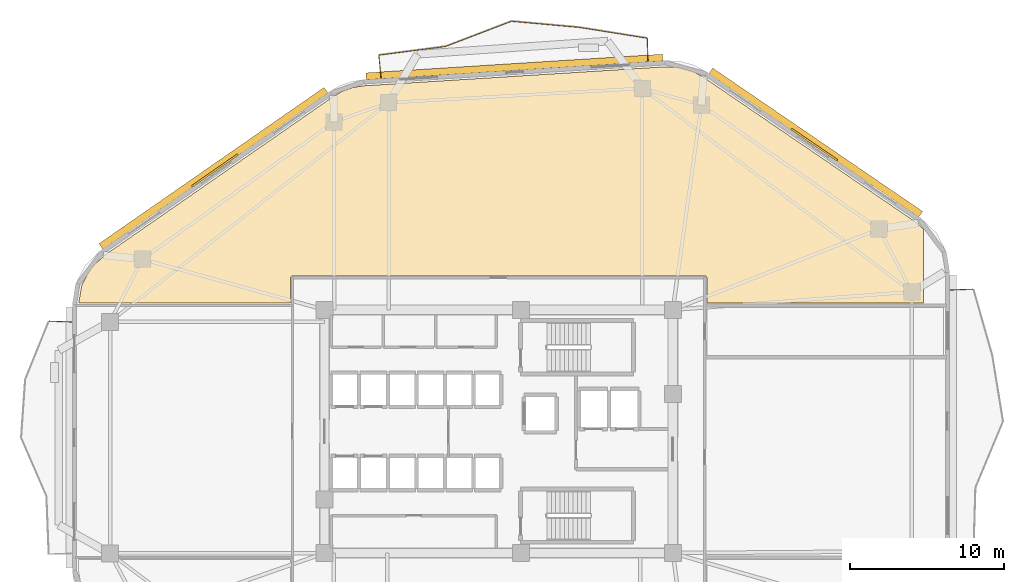
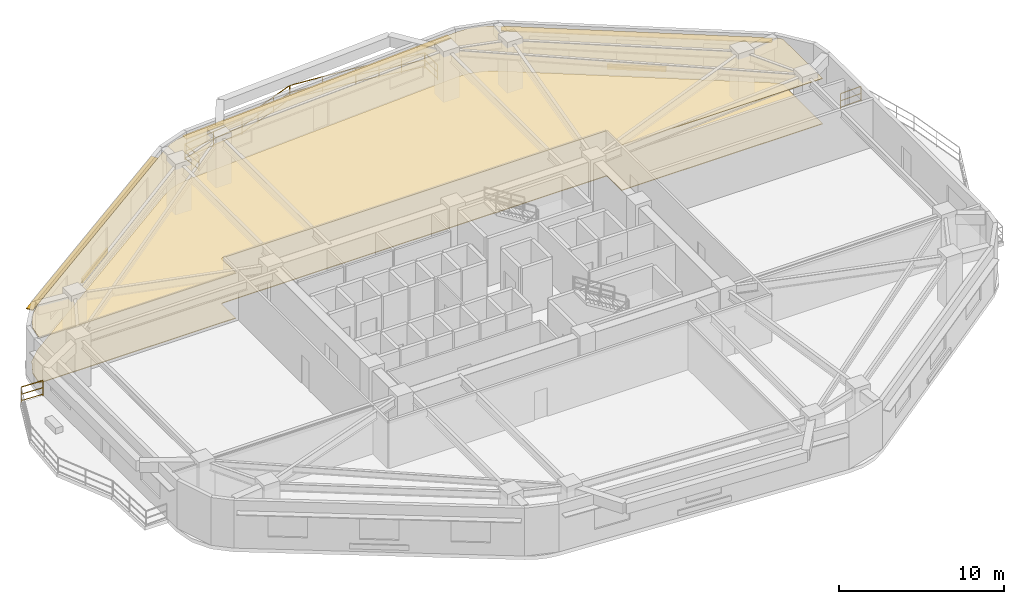
# One storey, part 9 of 9: 8 railings, 5 shading devices, 2 coverings.
"""IFC4 building model written with IfcOpenShell, lengths in metres."""

from ifc_helpers import new_model, si_unit, direction, frame, origin, origin_2d, place, context, subcontext, project, spatial, polyline, rectangle, outline, extrude, material, layer, layer_set, type_object, element, save


model = new_model("IFC4")

# Units and contexts
model_context = context("Model", 3, precision=1e-05, world=origin(), true_north=direction((0.0, 1.0)))
body_context = subcontext(model_context, "Body", "Model", "MODEL_VIEW")
ifc_project = project(units=[si_unit("LENGTHUNIT", "METRE"), si_unit("AREAUNIT", "SQUARE_METRE"), si_unit("VOLUMEUNIT", "CUBIC_METRE"), si_unit("PLANEANGLEUNIT", "RADIAN"), si_unit("MASSUNIT", "GRAM", prefix="KILO")], contexts=[model_context])

# Site, building, storey
site_placement = place(None, origin())
site = spatial("IfcSite", under=ifc_project, at=site_placement, CompositionType="ELEMENT")
building_placement = place(site_placement, origin())
building = spatial("IfcBuilding", under=site, at=building_placement, Name="Zulverin Broadcast Headquarters", CompositionType="ELEMENT")
storey_placement = place(building_placement, frame((0.0, 0.0, 104.800048828125)))
storey = spatial("IfcBuildingStorey", under=building, at=storey_placement, Name="L26", CompositionType="ELEMENT", Elevation=104.800048828125)

# Coverings
ifc_material_1 = material(Name="Perforated pale-metal acoustic baffle ceiling", Category="aluminium")
ifc_layer_1 = layer(ifc_material_1, 0.0400390625, Name="Perforated pale-metal acoustic baffle ceiling", Category="aluminium")
ifc_layer_set_1 = layer_set([ifc_layer_1], Name="Perforated pale-metal acoustic baffle ceiling")
covering_type_1 = type_object("IfcCoveringType", Name="COV-CEIL-ACOU", PredefinedType="CEILING", material=ifc_layer_set_1)
covering_1_placement = place(storey_placement, frame((0.0, 0.0, 3.344970703125)))
element("IfcCovering", 1, at=covering_1_placement, inside=storey, type_object=covering_type_1, Name="L26 Acoustic Baffle Ceiling 01", PredefinedType="CEILING", context=body_context, shape_type="SweptSolid", body=[
    extrude(outline(polyline([(11.4599609375, 36.583984375), (10.56005859375, 35.719970703125), (10.0, 34.639892578125), (9.81591796875, 33.5), (23.531982421875, 33.5), (23.531982421875, 35.152099609375), (23.531982421875, 35.1640625), (23.535888671875, 35.176025390625), (23.535888671875, 35.18798828125), (23.5400390625, 35.196044921875), (23.548095703125, 35.2080078125), (23.552001953125, 35.219970703125), (23.56005859375, 35.22802734375), (23.568115234375, 35.236083984375), (23.575927734375, 35.243896484375), (23.583984375, 35.251953125), (23.595947265625, 35.256103515625), (23.60791015625, 35.263916015625), (23.615966796875, 35.26806640625), (23.6279296875, 35.26806640625), (23.639892578125, 35.27197265625), (23.652099609375, 35.27197265625), (50.35205078125, 35.27197265625), (50.364013671875, 35.27197265625), (50.3759765625, 35.26806640625), (50.387939453125, 35.26806640625), (50.39599609375, 35.263916015625), (50.407958984375, 35.256103515625), (50.419921875, 35.251953125), (50.427978515625, 35.243896484375), (50.43603515625, 35.236083984375), (50.444091796875, 35.22802734375), (50.451904296875, 35.219970703125), (50.4560546875, 35.2080078125), (50.464111328125, 35.196044921875), (50.468017578125, 35.18798828125), (50.468017578125, 35.176025390625), (50.471923828125, 35.1640625), (50.471923828125, 35.152099609375), (50.471923828125, 33.5), (64.5, 33.5), (64.5, 38.303955078125), (64.115966796875, 38.672119140625), (50.248046875, 48.139892578125), (49.491943359375, 48.548095703125), (48.68408203125, 48.76806640625), (47.823974609375, 48.80810546875), (28.27587890625, 47.575927734375), (27.575927734375, 47.468017578125), (26.927978515625, 47.243896484375), (26.31591796875, 46.89599609375), (11.4599609375, 36.583984375)])), origin(), (0.0, 0.0, 1.0), 0.0400390625),
])
ifc_material_2 = material(Name="Anti-static broadcast raised access flooring", Category="stone")
ifc_layer_2 = layer(ifc_material_2, 0.050048828125, Name="Anti-static broadcast raised access flooring", Category="stone")
ifc_layer_set_2 = layer_set([ifc_layer_2], Name="Anti-static broadcast raised access flooring")
covering_type_2 = type_object("IfcCoveringType", Name="COV-FLR-RAISED", PredefinedType="FLOORING", material=ifc_layer_set_2)
covering_2_placement = place(storey_placement, origin())
element("IfcCovering", 2, at=covering_2_placement, inside=storey, type_object=covering_type_2, Name="L26 Broadcast Raised Access Flooring 01", PredefinedType="FLOORING", context=body_context, shape_type="SweptSolid", body=[
    extrude(outline(polyline([(11.4599609375, 36.583984375), (10.56005859375, 35.719970703125), (10.0, 34.639892578125), (9.81591796875, 33.5), (23.531982421875, 33.5), (23.531982421875, 35.152099609375), (23.531982421875, 35.1640625), (23.535888671875, 35.176025390625), (23.535888671875, 35.18798828125), (23.5400390625, 35.196044921875), (23.548095703125, 35.2080078125), (23.552001953125, 35.219970703125), (23.56005859375, 35.22802734375), (23.568115234375, 35.236083984375), (23.575927734375, 35.243896484375), (23.583984375, 35.251953125), (23.595947265625, 35.256103515625), (23.60791015625, 35.263916015625), (23.615966796875, 35.26806640625), (23.6279296875, 35.26806640625), (23.639892578125, 35.27197265625), (23.652099609375, 35.27197265625), (50.35205078125, 35.27197265625), (50.364013671875, 35.27197265625), (50.3759765625, 35.26806640625), (50.387939453125, 35.26806640625), (50.39599609375, 35.263916015625), (50.407958984375, 35.256103515625), (50.419921875, 35.251953125), (50.427978515625, 35.243896484375), (50.43603515625, 35.236083984375), (50.444091796875, 35.22802734375), (50.451904296875, 35.219970703125), (50.4560546875, 35.2080078125), (50.464111328125, 35.196044921875), (50.468017578125, 35.18798828125), (50.468017578125, 35.176025390625), (50.471923828125, 35.1640625), (50.471923828125, 35.152099609375), (50.471923828125, 33.5), (64.5, 33.5), (64.5, 38.303955078125), (64.115966796875, 38.672119140625), (50.248046875, 48.139892578125), (49.491943359375, 48.548095703125), (48.68408203125, 48.76806640625), (47.823974609375, 48.80810546875), (28.27587890625, 47.575927734375), (27.575927734375, 47.468017578125), (26.927978515625, 47.243896484375), (26.31591796875, 46.89599609375), (11.4599609375, 36.583984375)])), origin(), (0.0, 0.0, 1.0), 0.050048828125),
])

# Railings
ifc_material_3 = material(Name="Brushed stainless steel & laminated glass balustrade", Category="steel")
railing_type = type_object("IfcRailingType", Name="RL-GUARD-1150", PredefinedType="GUARDRAIL", material=ifc_material_3)
railing_1_placement = place(storey_placement, frame((67.705078125, 34.413818359375, 0.0)))
element("IfcRailing", 3, at=railing_1_placement, inside=storey, type_object=railing_type, Name="L26 Vertical-Forest Balcony Guardrail BAL_E Segment 06", PredefinedType="GUARDRAIL", context=body_context, shape_type="SweptSolid", body=[
    extrude(rectangle(XDim=0.048095703125, YDim=0.048095703125, at=origin_2d()), frame((0.0, 0.0, 1.1259765625), z_axis=(-0.999181155166, -0.040460093435, 0.0), x_axis=(0.040460093435, -0.999181155166, 0.0)), (0.0, 0.0, 1.0), 1.46630859375),
    extrude(rectangle(XDim=0.0419921875, YDim=0.0419921875, at=origin_2d()), frame((0.0, 0.0, 0.597900390625), z_axis=(-0.999181155166, -0.040460093435, 0.0), x_axis=(0.040460093435, -0.999181155166, 0.0)), (0.0, 0.0, 1.0), 1.46630859375),
    extrude(rectangle(XDim=0.0419921875, YDim=0.0419921875, at=origin_2d()), frame((0.0, 0.0, 0.1201171875), z_axis=(-0.999181155166, -0.040460093435, 0.0), x_axis=(0.040460093435, -0.999181155166, 0.0)), (0.0, 0.0, 1.0), 1.46630859375),
    extrude(rectangle(XDim=0.0419921875, YDim=0.0419921875, at=origin_2d()), origin(), (0.0, 0.0, 1.0), 1.101806640625),
    extrude(rectangle(XDim=0.0419921875, YDim=0.0419921875, at=origin_2d()), frame((-1.465087890625, -0.059326171875, 0.0)), (0.0, 0.0, 1.0), 1.101806640625),
])
railing_2_placement = place(storey_placement, frame((46.662841796875, 49.176025390625, 0.0)))
element("IfcRailing", 4, at=railing_2_placement, inside=storey, type_object=railing_type, Name="L26 Vertical-Forest Balcony Guardrail BAL_N Segment 01", PredefinedType="GUARDRAIL", context=body_context, shape_type="SweptSolid", body=[
    extrude(rectangle(XDim=0.048095703125, YDim=0.048095703125, at=origin_2d()), frame((0.0, 0.0, 1.1259765625), z_axis=(-0.022479328211, 0.999747307975, 0.0), x_axis=(-0.999747307975, -0.022479328211, 0.0)), (0.0, 0.0, 1.0), 1.46630859375),
    extrude(rectangle(XDim=0.0419921875, YDim=0.0419921875, at=origin_2d()), frame((0.0, 0.0, 0.597900390625), z_axis=(-0.022479328211, 0.999747307975, 0.0), x_axis=(-0.999747307975, -0.022479328211, 0.0)), (0.0, 0.0, 1.0), 1.46630859375),
    extrude(rectangle(XDim=0.0419921875, YDim=0.0419921875, at=origin_2d()), frame((0.0, 0.0, 0.1201171875), z_axis=(-0.022479328211, 0.999747307975, 0.0), x_axis=(-0.999747307975, -0.022479328211, 0.0)), (0.0, 0.0, 1.0), 1.46630859375),
    extrude(rectangle(XDim=0.0419921875, YDim=0.0419921875, at=origin_2d()), origin(), (0.0, 0.0, 1.0), 1.101806640625),
    extrude(rectangle(XDim=0.0419921875, YDim=0.0419921875, at=origin_2d()), frame((-0.032958984375, 1.4658203125, 0.0)), (0.0, 0.0, 1.0), 1.101806640625),
])
railing_3_placement = place(storey_placement, frame((46.61474609375, 50.6591796875, 0.0)))
element("IfcRailing", 5, at=railing_3_placement, inside=storey, type_object=railing_type, Name="L26 Vertical-Forest Balcony Guardrail BAL_N Segment 02", PredefinedType="GUARDRAIL", context=body_context, shape_type="SweptSolid", body=[
    extrude(rectangle(XDim=0.048095703125, YDim=0.048095703125, at=origin_2d()), frame((0.0, 0.0, 1.1259765625), z_axis=(-0.98753524025, 0.157398059915, 0.0), x_axis=(-0.157398059915, -0.98753524025, 0.0)), (0.0, 0.0, 1.0), 4.43603515625),
    extrude(rectangle(XDim=0.0419921875, YDim=0.0419921875, at=origin_2d()), frame((0.0, 0.0, 0.597900390625), z_axis=(-0.98753524025, 0.157398059915, 0.0), x_axis=(-0.157398059915, -0.98753524025, 0.0)), (0.0, 0.0, 1.0), 4.43603515625),
    extrude(rectangle(XDim=0.0419921875, YDim=0.0419921875, at=origin_2d()), frame((0.0, 0.0, 0.1201171875), z_axis=(-0.98753524025, 0.157398059915, 0.0), x_axis=(-0.157398059915, -0.98753524025, 0.0)), (0.0, 0.0, 1.0), 4.43603515625),
    extrude(rectangle(XDim=0.0419921875, YDim=0.0419921875, at=origin_2d()), origin(), (0.0, 0.0, 1.0), 1.101806640625),
    extrude(rectangle(XDim=0.0419921875, YDim=0.0419921875, at=origin_2d()), frame((-1.460205078125, 0.232666015625, 0.0)), (0.0, 0.0, 1.0), 1.101806640625),
    extrude(rectangle(XDim=0.0419921875, YDim=0.0419921875, at=origin_2d()), frame((-2.920654296875, 0.465576171875, 0.0)), (0.0, 0.0, 1.0), 1.101806640625),
    extrude(rectangle(XDim=0.0419921875, YDim=0.0419921875, at=origin_2d()), frame((-4.380859375, 0.6982421875, 0.0)), (0.0, 0.0, 1.0), 1.101806640625),
])
railing_4_placement = place(storey_placement, frame((42.2041015625, 51.361083984375, 0.0)))
element("IfcRailing", 6, at=railing_4_placement, inside=storey, type_object=railing_type, Name="L26 Vertical-Forest Balcony Guardrail BAL_N Segment 03", PredefinedType="GUARDRAIL", context=body_context, shape_type="SweptSolid", body=[
    extrude(rectangle(XDim=0.048095703125, YDim=0.048095703125, at=origin_2d()), frame((0.0, 0.0, 1.1259765625), z_axis=(-0.995967815769, 0.089711258779, 0.0), x_axis=(-0.089711258779, -0.995967815769, 0.0)), (0.0, 0.0, 1.0), 4.378662109375),
    extrude(rectangle(XDim=0.0419921875, YDim=0.0419921875, at=origin_2d()), frame((0.0, 0.0, 0.597900390625), z_axis=(-0.995967815769, 0.089711258779, 0.0), x_axis=(-0.089711258779, -0.995967815769, 0.0)), (0.0, 0.0, 1.0), 4.378662109375),
    extrude(rectangle(XDim=0.0419921875, YDim=0.0419921875, at=origin_2d()), frame((0.0, 0.0, 0.1201171875), z_axis=(-0.995967815769, 0.089711258779, 0.0), x_axis=(-0.089711258779, -0.995967815769, 0.0)), (0.0, 0.0, 1.0), 4.378662109375),
    extrude(rectangle(XDim=0.0419921875, YDim=0.0419921875, at=origin_2d()), origin(), (0.0, 0.0, 1.0), 1.101806640625),
    extrude(rectangle(XDim=0.0419921875, YDim=0.0419921875, at=origin_2d()), frame((-2.1806640625, 0.1962890625, 0.0)), (0.0, 0.0, 1.0), 1.101806640625),
    extrude(rectangle(XDim=0.0419921875, YDim=0.0419921875, at=origin_2d()), frame((-4.361083984375, 0.392822265625, 0.0)), (0.0, 0.0, 1.0), 1.101806640625),
])
railing_5_placement = place(storey_placement, frame((37.814208984375, 51.749755859375, 0.0)))
element("IfcRailing", 7, at=railing_5_placement, inside=storey, type_object=railing_type, Name="L26 Vertical-Forest Balcony Guardrail BAL_N Segment 04", PredefinedType="GUARDRAIL", context=body_context, shape_type="SweptSolid", body=[
    extrude(rectangle(XDim=0.048095703125, YDim=0.048095703125, at=origin_2d()), frame((0.0, 0.0, 1.1259765625), z_axis=(-0.934010095267, -0.357246612215, 0.0), x_axis=(0.357246612215, -0.934010095267, 0.0)), (0.0, 0.0, 1.0), 4.534423828125),
    extrude(rectangle(XDim=0.0419921875, YDim=0.0419921875, at=origin_2d()), frame((0.0, 0.0, 0.597900390625), z_axis=(-0.934010095267, -0.357246612215, 0.0), x_axis=(0.357246612215, -0.934010095267, 0.0)), (0.0, 0.0, 1.0), 4.534423828125),
    extrude(rectangle(XDim=0.0419921875, YDim=0.0419921875, at=origin_2d()), frame((0.0, 0.0, 0.1201171875), z_axis=(-0.934010095267, -0.357246612215, 0.0), x_axis=(0.357246612215, -0.934010095267, 0.0)), (0.0, 0.0, 1.0), 4.534423828125),
    extrude(rectangle(XDim=0.0419921875, YDim=0.0419921875, at=origin_2d()), origin(), (0.0, 0.0, 1.0), 1.101806640625),
    extrude(rectangle(XDim=0.0419921875, YDim=0.0419921875, at=origin_2d()), frame((-1.41162109375, -0.5400390625, 0.0)), (0.0, 0.0, 1.0), 1.101806640625),
    extrude(rectangle(XDim=0.0419921875, YDim=0.0419921875, at=origin_2d()), frame((-2.823486328125, -1.079833984375, 0.0)), (0.0, 0.0, 1.0), 1.101806640625),
    extrude(rectangle(XDim=0.0419921875, YDim=0.0419921875, at=origin_2d()), frame((-4.235107421875, -1.619873046875, 0.0)), (0.0, 0.0, 1.0), 1.101806640625),
])
railing_6_placement = place(storey_placement, frame((33.550048828125, 50.12255859375, 0.0)))
element("IfcRailing", 8, at=railing_6_placement, inside=storey, type_object=railing_type, Name="L26 Vertical-Forest Balcony Guardrail BAL_N Segment 05", PredefinedType="GUARDRAIL", context=body_context, shape_type="SweptSolid", body=[
    extrude(rectangle(XDim=0.048095703125, YDim=0.048095703125, at=origin_2d()), frame((0.0, 0.0, 1.1259765625), z_axis=(-0.99161202167, -0.129250139186, 0.0), x_axis=(0.129250139186, -0.99161202167, 0.0)), (0.0, 0.0, 1.0), 4.3369140625),
    extrude(rectangle(XDim=0.0419921875, YDim=0.0419921875, at=origin_2d()), frame((0.0, 0.0, 0.597900390625), z_axis=(-0.99161202167, -0.129250139186, 0.0), x_axis=(0.129250139186, -0.99161202167, 0.0)), (0.0, 0.0, 1.0), 4.3369140625),
    extrude(rectangle(XDim=0.0419921875, YDim=0.0419921875, at=origin_2d()), frame((0.0, 0.0, 0.1201171875), z_axis=(-0.99161202167, -0.129250139186, 0.0), x_axis=(0.129250139186, -0.99161202167, 0.0)), (0.0, 0.0, 1.0), 4.3369140625),
    extrude(rectangle(XDim=0.0419921875, YDim=0.0419921875, at=origin_2d()), origin(), (0.0, 0.0, 1.0), 1.101806640625),
    extrude(rectangle(XDim=0.0419921875, YDim=0.0419921875, at=origin_2d()), frame((-2.150390625, -0.2802734375, 0.0)), (0.0, 0.0, 1.0), 1.101806640625),
    extrude(rectangle(XDim=0.0419921875, YDim=0.0419921875, at=origin_2d()), frame((-4.300537109375, -0.560546875, 0.0)), (0.0, 0.0, 1.0), 1.101806640625),
])
railing_7_placement = place(storey_placement, frame((29.236083984375, 49.545166015625, 0.0)))
element("IfcRailing", 9, at=railing_7_placement, inside=storey, type_object=railing_type, Name="L26 Vertical-Forest Balcony Guardrail BAL_N Segment 06", PredefinedType="GUARDRAIL", context=body_context, shape_type="SweptSolid", body=[
    extrude(rectangle(XDim=0.048095703125, YDim=0.048095703125, at=origin_2d()), frame((0.0, 0.0, 1.1259765625), z_axis=(0.103393334431, -0.994640547331, 0.0), x_axis=(0.994640547331, 0.103393334431, 0.0)), (0.0, 0.0, 1.0), 1.46630859375),
    extrude(rectangle(XDim=0.0419921875, YDim=0.0419921875, at=origin_2d()), frame((0.0, 0.0, 0.597900390625), z_axis=(0.103393334431, -0.994640547331, 0.0), x_axis=(0.994640547331, 0.103393334431, 0.0)), (0.0, 0.0, 1.0), 1.46630859375),
    extrude(rectangle(XDim=0.0419921875, YDim=0.0419921875, at=origin_2d()), frame((0.0, 0.0, 0.1201171875), z_axis=(0.103393334431, -0.994640547331, 0.0), x_axis=(0.994640547331, 0.103393334431, 0.0)), (0.0, 0.0, 1.0), 1.46630859375),
    extrude(rectangle(XDim=0.0419921875, YDim=0.0419921875, at=origin_2d()), origin(), (0.0, 0.0, 1.0), 1.101806640625),
    extrude(rectangle(XDim=0.0419921875, YDim=0.0419921875, at=origin_2d()), frame((0.151611328125, -1.45849609375, 0.0)), (0.0, 0.0, 1.0), 1.101806640625),
])
railing_8_placement = place(storey_placement, frame((9.360107421875, 32.284423828125, 0.0)))
element("IfcRailing", 10, at=railing_8_placement, inside=storey, type_object=railing_type, Name="L26 Vertical-Forest Balcony Guardrail BAL_W Segment 01", PredefinedType="GUARDRAIL", context=body_context, shape_type="SweptSolid", body=[
    extrude(rectangle(XDim=0.048095703125, YDim=0.048095703125, at=origin_2d()), frame((0.0, 0.0, 1.1259765625), z_axis=(-0.999181155166, 0.040460093435, 0.0), x_axis=(-0.040460093435, -0.999181155166, 0.0)), (0.0, 0.0, 1.0), 1.46630859375),
    extrude(rectangle(XDim=0.0419921875, YDim=0.0419921875, at=origin_2d()), frame((0.0, 0.0, 0.597900390625), z_axis=(-0.999181155166, 0.040460093435, 0.0), x_axis=(-0.040460093435, -0.999181155166, 0.0)), (0.0, 0.0, 1.0), 1.46630859375),
    extrude(rectangle(XDim=0.0419921875, YDim=0.0419921875, at=origin_2d()), frame((0.0, 0.0, 0.1201171875), z_axis=(-0.999181155166, 0.040460093435, 0.0), x_axis=(-0.040460093435, -0.999181155166, 0.0)), (0.0, 0.0, 1.0), 1.46630859375),
    extrude(rectangle(XDim=0.0419921875, YDim=0.0419921875, at=origin_2d()), origin(), (0.0, 0.0, 1.0), 1.101806640625),
    extrude(rectangle(XDim=0.0419921875, YDim=0.0419921875, at=origin_2d()), frame((-1.465087890625, 0.059326171875, 0.0)), (0.0, 0.0, 1.0), 1.101806640625),
])

# Shading devices
ifc_material_4 = material(Name="Anodized pale-metal aluminium acoustic louvre", Category="aluminium")
shading_device_type_1 = type_object("IfcShadingDeviceType", Name="SHD-LOUVRE-350", PredefinedType="USERDEFINED", material=ifc_material_4)
for number, where, z_axis, x_axis, name in (
    (11, (57.435302734375, 43.76708984375, 0.244873046875), (0.0, 0.0, 1.0), (-0.825756855157, 0.564026254851, 0.0), "L26 Spandrel Intake Louvre 4"),
    (12, (18.631103515625, 42.0966796875, 0.244873046875), (0.0, 0.0, 1.0), (-0.821556397865, -0.57012725345, 0.0), "L26 Spandrel Intake Louvre 6"),
):
    element("IfcShadingDevice", number, at=place(storey_placement, frame(where, z_axis=z_axis, x_axis=x_axis)), inside=storey, type_object=shading_device_type_1, Name=name, ObjectType="LOUVRE", PredefinedType="USERDEFINED", context=body_context, shape_type="SweptSolid", body=[
        extrude(rectangle(XDim=3.60009765625, YDim=0.1201171875, at=origin_2d()), origin(), (0.0, 0.0, 1.0), 0.35009765625),
    ])
ifc_material_5 = material(Name="Anodized pale-metal aluminium sunshade", Category="aluminium")
ifc_layer_3 = layer(ifc_material_5, 0.06005859375, Name="Anodized pale-metal aluminium sunshade", Category="aluminium")
ifc_layer_set_3 = layer_set([ifc_layer_3], Name="Anodized pale-metal aluminium sunshade")
shading_device_type_2 = type_object("IfcShadingDeviceType", Name="SS-01_PALE_METAL_ALUMINIUM_SUNSHADE", PredefinedType="USERDEFINED", material=ifc_layer_set_3)
shading_device_1_placement = place(storey_placement, frame((57.525390625, 43.8994140625, 2.7099609375), z_axis=(0.0, 0.0, 1.0), x_axis=(-0.825756855157, 0.564026254851, 0.0)))
element("IfcShadingDevice", 13, at=shading_device_1_placement, inside=storey, type_object=shading_device_type_2, Name="L26 Horizontal Pale-Metal Sunshade Band 4", ObjectType="SUNSHADE", PredefinedType="USERDEFINED", context=body_context, shape_type="SweptSolid", body=[
    extrude(rectangle(XDim=16.4482421875, YDim=0.449951171875, at=origin_2d()), origin(), (0.0, 0.0, 1.0), 0.06005859375),
])
shading_device_2_placement = place(storey_placement, frame((38.01513671875, 48.791015625, 2.7099609375), z_axis=(0.0, 0.0, 1.0), x_axis=(-0.998017621976, -0.062935095345, 0.0)))
element("IfcShadingDevice", 14, at=shading_device_2_placement, inside=storey, type_object=shading_device_type_2, Name="L26 Horizontal Pale-Metal Sunshade Band 5", ObjectType="SUNSHADE", PredefinedType="USERDEFINED", context=body_context, shape_type="SweptSolid", body=[
    extrude(rectangle(XDim=19.2294921875, YDim=0.449951171875, at=origin_2d()), origin(), (0.0, 0.0, 1.0), 0.06005859375),
])
shading_device_3_placement = place(storey_placement, frame((18.539794921875, 42.22802734375, 2.7099609375), z_axis=(0.0, 0.0, 1.0), x_axis=(-0.821556397865, -0.57012725345, 0.0)))
element("IfcShadingDevice", 15, at=shading_device_3_placement, inside=storey, type_object=shading_device_type_2, Name="L26 Horizontal Pale-Metal Sunshade Band 6", ObjectType="SUNSHADE", PredefinedType="USERDEFINED", context=body_context, shape_type="SweptSolid", body=[
    extrude(rectangle(XDim=17.732421875, YDim=0.449951171875, at=origin_2d()), origin(), (0.0, 0.0, 1.0), 0.06005859375),
])

save(model, "model.ifc")
